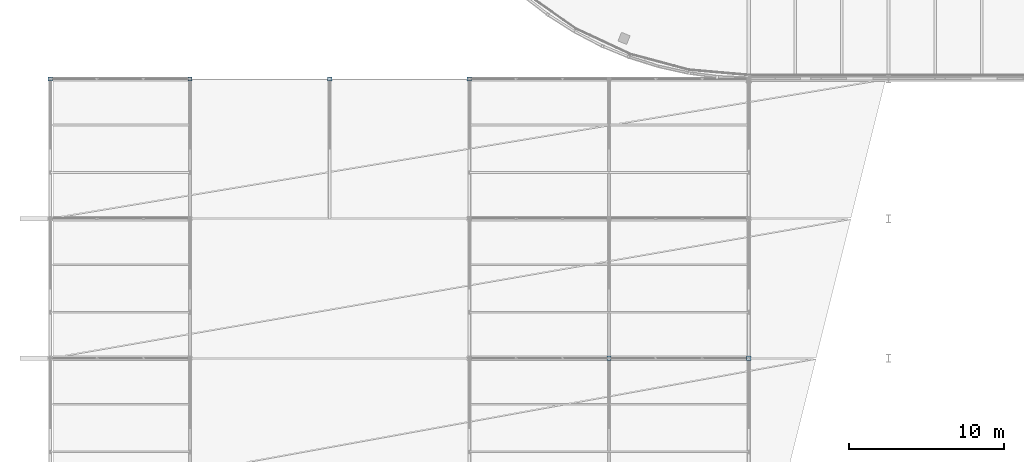
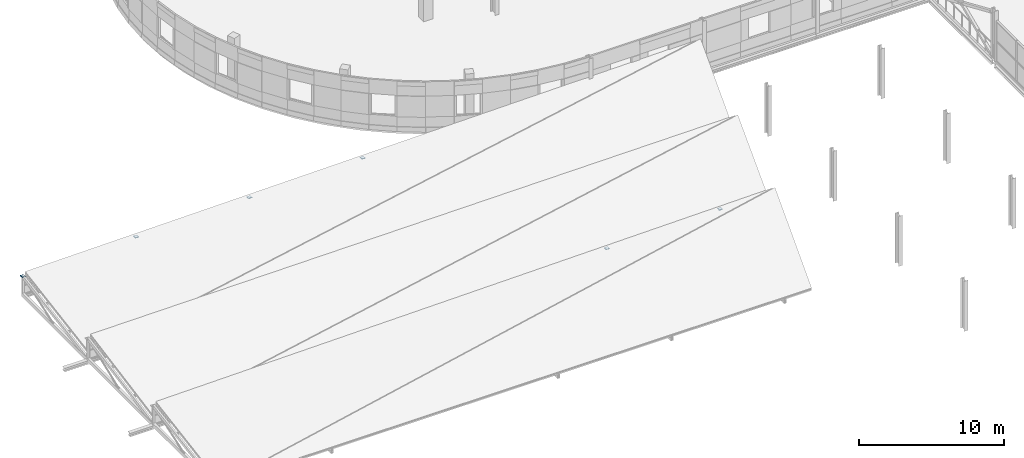
# One storey, part 80 of 103: 6 plates.
"""IFC4 building model written with IfcOpenShell, lengths in metres."""

from ifc_helpers import new_model, si_unit, direction, frame, origin, origin_2d, place, context, subcontext, project, spatial, rectangle, extrude, material, layer, layer_set, type_object, element, save


model = new_model("IFC4")

# Units and contexts
model_context = context("Model", 3, precision=1e-05, world=origin(), true_north=direction((0.0, 1.0)))
body_context = subcontext(model_context, "Body", "Model", "MODEL_VIEW")
ifc_project = project(units=[si_unit("LENGTHUNIT", "METRE"), si_unit("AREAUNIT", "SQUARE_METRE"), si_unit("VOLUMEUNIT", "CUBIC_METRE"), si_unit("PLANEANGLEUNIT", "RADIAN"), si_unit("MASSUNIT", "GRAM", prefix="KILO")], contexts=[model_context])

# Site, building, storey
site_placement = place(None, origin())
site = spatial("IfcSite", under=ifc_project, at=site_placement, CompositionType="ELEMENT")
building_placement = place(site_placement, origin())
building = spatial("IfcBuilding", under=site, at=building_placement, Name="Deido Ridge Mobility Hub", CompositionType="ELEMENT")
storey_placement = place(building_placement, frame((0.0, 0.0, 12.60009765625)))
storey = spatial("IfcBuildingStorey", under=building, at=storey_placement, Name="L03", CompositionType="ELEMENT", Elevation=12.60009765625)

# Plates
ifc_material = material(Name="Steel S355J2 EN 10025-2", Category="steel")
ifc_layer = layer(ifc_material, 0.02197265625, Name="Steel S355J2 EN 10025-2")
ifc_layer_set = layer_set([ifc_layer], Name="Steel S355J2 EN 10025-2")
plate_type = type_object("IfcPlateType", Name="PLT-CAP-22", PredefinedType="USERDEFINED", material=ifc_layer_set)
for number, where, z_axis, x_axis, name in (
    (1, (36.0, 63.0, 2.1689453125), (0.0, 0.0, 1.0), (1.0, 0.0, 0.0), "Hollow member sealed end-cap plate EC2-197"),
    (2, (45.0, 63.0, 2.328857421875), (0.0, 0.0, 1.0), (1.0, 0.0, 0.0), "Hollow member sealed end-cap plate EC2-198"),
    (3, (0.0, 81.0, 1.52880859375), (0.0, 0.0, 1.0), (1.0, 0.0, 0.0), "Hollow member sealed end-cap plate EC2-220"),
    (4, (9.0, 81.0, 1.68896484375), (0.0, 0.0, 1.0), (1.0, 0.0, 0.0), "Hollow member sealed end-cap plate EC2-221"),
    (5, (18.0, 81.0, 1.848876953125), (0.0, 0.0, 1.0), (1.0, 0.0, 0.0), "Hollow member sealed end-cap plate EC2-222"),
    (6, (27.0, 81.0, 2.009033203125), (0.0, 0.0, 1.0), (1.0, 0.0, 0.0), "Hollow member sealed end-cap plate EC2-223"),
):
    element("IfcPlate", number, at=place(storey_placement, frame(where, z_axis=z_axis, x_axis=x_axis)), inside=storey, type_object=plate_type, Name=name, ObjectType="END CAP PLATE", PredefinedType="USERDEFINED", context=body_context, shape_type="SweptSolid", body=[
        extrude(rectangle(XDim=0.280029296875, YDim=0.280029296875, at=origin_2d()), origin(), (0.0, 0.0, 1.0), 0.02197265625),
    ])

save(model, "model.ifc")
